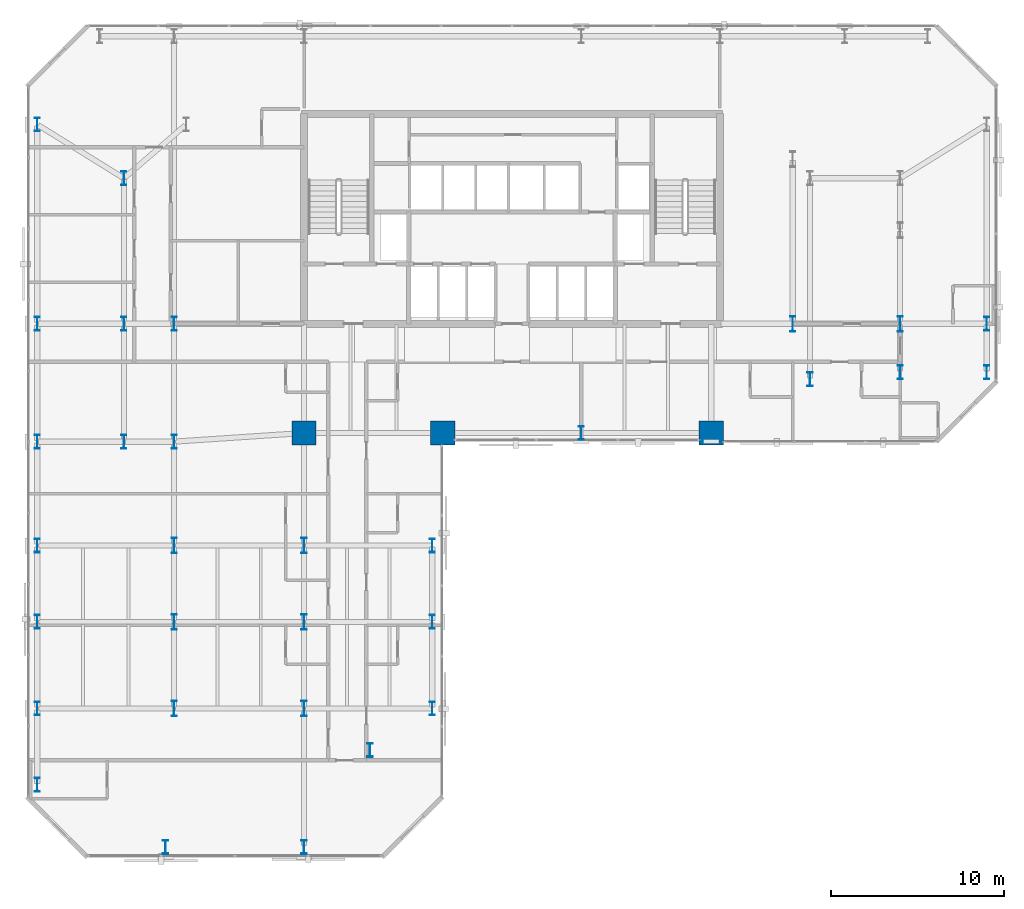
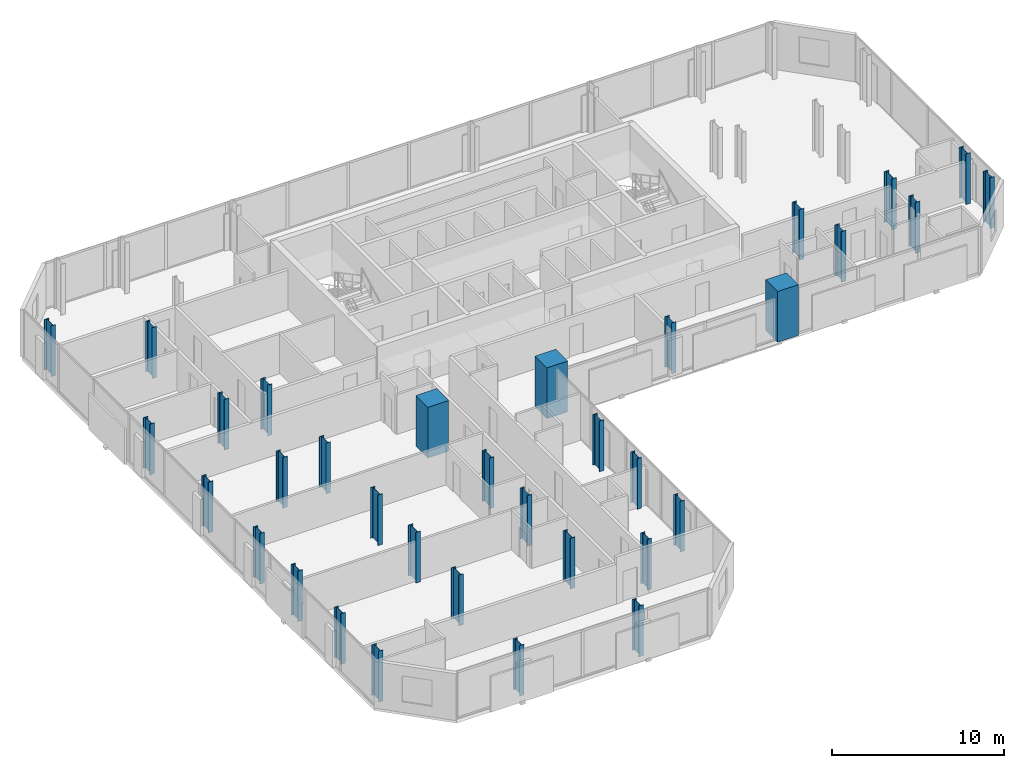
# One storey, part 1 of 33: 34 columns.
"""IFC4 building model written with IfcOpenShell, lengths in metres."""

from ifc_helpers import new_model, si_unit, direction, frame, origin, origin_2d, place, context, subcontext, project, spatial, rectangle, i_section, extrude, material, material_profile, profile_set, type_object, element, save


model = new_model("IFC4")

# Units and contexts
model_context = context("Model", 3, precision=1e-05, world=origin(), true_north=direction((0.0, 1.0)))
body_context = subcontext(model_context, "Body", "Model", "MODEL_VIEW")
ifc_project = project(units=[si_unit("LENGTHUNIT", "METRE"), si_unit("AREAUNIT", "SQUARE_METRE"), si_unit("VOLUMEUNIT", "CUBIC_METRE"), si_unit("PLANEANGLEUNIT", "RADIAN"), si_unit("MASSUNIT", "GRAM", prefix="KILO")], contexts=[model_context])

# Site, building, storey
site_placement = place(None, origin())
site = spatial("IfcSite", under=ifc_project, at=site_placement, CompositionType="ELEMENT")
building_placement = place(site_placement, origin())
building = spatial("IfcBuilding", under=site, at=building_placement, Name="Catumbela Crestline Tower", CompositionType="ELEMENT")
storey_placement = place(building_placement, frame((0.0, 0.0, 43.8)))
storey = spatial("IfcBuildingStorey", under=building, at=storey_placement, Name="L10", CompositionType="ELEMENT", Elevation=43.8)

# Columns
ifc_material_1 = material(Name="Concrete C60/75", Category="concrete")
ifc_material_profile_1 = material_profile(ifc_material_1, rectangle(XDim=1.4, YDim=1.4, at=origin_2d()), Name="RC 1400x1400")
ifc_profile_set_1 = profile_set([ifc_material_profile_1], Name="Concrete C60/75")
column_type_1 = type_object("IfcColumnType", Name="C-RC1400-C60", PredefinedType="COLUMN", material=ifc_profile_set_1)
for number, where, z_axis, x_axis, name in (
    (1, (16.0, 24.5, 0.0), (0.0, 0.0, 1.0), (1.0, 0.0, 0.0), "L10 Column C-16-24 (RC 1400x1400)"),
    (2, (24.0, 24.5, 0.0), (0.0, 0.0, 1.0), (1.0, 0.0, 0.0), "L10 Column C-24-24 (RC 1400x1400)"),
    (3, (39.5, 24.5, 0.0), (0.0, 0.0, 1.0), (1.0, 0.0, 0.0), "L10 Column C-40-24 (RC 1400x1400)"),
):
    element("IfcColumn", number, at=place(storey_placement, frame(where, z_axis=z_axis, x_axis=x_axis)), inside=storey, type_object=column_type_1, Name=name, PredefinedType="COLUMN", context=body_context, shape_type="SweptSolid", body=[
        extrude(rectangle(XDim=1.4, YDim=1.4, at=origin_2d()), origin(), (0.0, 0.0, 1.0), 3.6),
    ])
ifc_material_2 = material(Name="Structural steel S460M", Category="steel")
ifc_material_profile_2 = material_profile(ifc_material_2, i_section(OverallWidth=0.3, OverallDepth=0.8, WebThickness=0.0175, FlangeThickness=0.033, FilletRadius=0.03, at=origin_2d()), Name="HEB 800")
ifc_profile_set_2 = profile_set([ifc_material_profile_2], Name="Structural steel S460M")
column_type_2 = type_object("IfcColumnType", Name="C-ST-HEB800", PredefinedType="COLUMN", material=ifc_profile_set_2)
for number, where, z_axis, x_axis, name in (
    (4, (8.5, 24.0, 0.0), (0.0, 0.0, 1.0), (1.0, 0.0, 0.0), "L10 Column C-08-24 (HEB 800)"),
    (5, (32.0, 24.5, 0.0), (0.0, 0.0, 1.0), (1.0, 0.0, 0.0), "L10 Column C-32-24 (HEB 800)"),
    (6, (5.6, 24.0, 0.0), (0.0, 0.0, 1.0), (1.0, 0.0, 0.0), "L10 Column C-05-24 (HEB 800)"),
    (7, (5.6, 30.8, 0.0), (0.0, 0.0, 1.0), (1.0, 0.0, 0.0), "L10 Column C-05-31 (HEB 800)"),
    (8, (5.6, 39.2, 0.0), (0.0, 0.0, 1.0), (1.0, 0.0, 0.0), "L10 Column C-05-43 (HEB 800)"),
    (9, (8.5, 30.8, 0.0), (0.0, 0.0, 1.0), (1.0, 0.0, 0.0), "L10 Column C-08-31 (HEB 800)"),
    (10, (45.2, 27.6, 0.0), (0.0, 0.0, 1.0), (1.0, 0.0, 0.0), "L10 Column C-46-24 (HEB 800)"),
    (11, (0.6, 24.0, 0.0), (0.0, 0.0, 1.0), (1.0, 0.0, 0.0), "L10 Column C-00-24 (HEB 800)"),
    (12, (0.6, 30.8, 0.0), (0.0, 0.0, 1.0), (1.0, 0.0, 0.0), "L10 Column C-00-31 (HEB 800)"),
    (13, (0.6, 42.3, 0.0), (0.0, 0.0, 1.0), (1.0, 0.0, 0.0), "L10 Column C-00-43 (HEB 800)"),
    (14, (50.4, 28.0, 0.0), (0.0, 0.0, 1.0), (1.0, 0.0, 0.0), "L10 Column C-51-24 (HEB 800)"),
    (15, (55.4, 28.0, 0.0), (0.0, 0.0, 1.0), (1.0, 0.0, 0.0), "L10 Column C-56-24 (HEB 800)"),
    (16, (55.4, 30.8, 0.0), (0.0, 0.0, 1.0), (1.0, 0.0, 0.0), "L10 Column C-56-31 (HEB 800)"),
    (17, (0.6, 8.6, 0.0), (0.0, 0.0, 1.0), (1.0, 0.0, 0.0), "L10 Column C-00-05 (HEB 800)"),
    (18, (0.6, 13.6, 0.0), (0.0, 0.0, 1.0), (1.0, 0.0, 0.0), "L10 Column C-00-10 (HEB 800)"),
    (19, (0.6, 18.0, 0.0), (0.0, 0.0, 1.0), (1.0, 0.0, 0.0), "L10 Column C-00-16 (HEB 800)"),
    (20, (0.6, 4.2, 0.0), (0.0, 0.0, 1.0), (1.0, 0.0, 0.0), "L10 Column C-00-03 (HEB 800)"),
    (21, (8.0, 0.6, 0.0), (0.0, 0.0, 1.0), (1.0, 0.0, 0.0), "L10 Column C-08-00 (HEB 800)"),
    (22, (16.0, 0.6, 0.0), (0.0, 0.0, 1.0), (1.0, 0.0, 0.0), "L10 Column C-16-00 (HEB 800)"),
    (23, (19.8, 6.2, 0.0), (0.0, 0.0, 1.0), (1.0, 0.0, 0.0), "L10 Column C-24-05 (HEB 800)"),
    (24, (23.4, 8.6, 0.0), (0.0, 0.0, 1.0), (1.0, 0.0, 0.0), "L10 Column C-23-08 (HEB 800)"),
    (25, (23.4, 13.6, 0.0), (0.0, 0.0, 1.0), (1.0, 0.0, 0.0), "L10 Column C-24-10 (HEB 800)"),
    (26, (23.4, 18.0, 0.0), (0.0, 0.0, 1.0), (1.0, 0.0, 0.0), "L10 Column C-24-16 (HEB 800)"),
):
    element("IfcColumn", number, at=place(storey_placement, frame(where, z_axis=z_axis, x_axis=x_axis)), inside=storey, type_object=column_type_2, Name=name, PredefinedType="COLUMN", context=body_context, shape_type="SweptSolid", body=[
        extrude(i_section(OverallWidth=0.3, OverallDepth=0.8, WebThickness=0.0175, FlangeThickness=0.033, FilletRadius=0.03, at=origin_2d()), origin(), (0.0, 0.0, 1.0), 3.6),
    ])
ifc_material_profile_3 = material_profile(ifc_material_2, i_section(OverallWidth=0.3, OverallDepth=0.9, WebThickness=0.0185, FlangeThickness=0.035, FilletRadius=0.03, at=origin_2d()), Name="HEB 900")
ifc_profile_set_3 = profile_set([ifc_material_profile_3], Name="Structural steel S460M")
column_type_3 = type_object("IfcColumnType", Name="C-ST-HEB900", PredefinedType="COLUMN", material=ifc_profile_set_3)
for number, where, z_axis, x_axis, name in (
    (27, (8.5, 8.6, 0.0), (0.0, 0.0, 1.0), (1.0, 0.0, 0.0), "L10 Column CT-05-05 (HEB 900)"),
    (28, (16.0, 8.6, 0.0), (0.0, 0.0, 1.0), (1.0, 0.0, 0.0), "L10 Column CT-14-05 (HEB 900)"),
    (29, (8.5, 13.6, 0.0), (0.0, 0.0, 1.0), (1.0, 0.0, 0.0), "L10 Column CT-05-10 (HEB 900)"),
    (30, (16.0, 13.6, 0.0), (0.0, 0.0, 1.0), (1.0, 0.0, 0.0), "L10 Column CT-14-10 (HEB 900)"),
    (31, (8.5, 18.0, 0.0), (0.0, 0.0, 1.0), (1.0, 0.0, 0.0), "L10 Column CT-05-16 (HEB 900)"),
    (32, (16.0, 18.0, 0.0), (0.0, 0.0, 1.0), (1.0, 0.0, 0.0), "L10 Column CT-14-16 (HEB 900)"),
    (33, (44.2, 30.8, 0.0), (0.0, 0.0, 1.0), (1.0, 0.0, 0.0), "L10 Column CT-46-31 (HEB 900)"),
    (34, (50.4, 30.8, 0.0), (0.0, 0.0, 1.0), (1.0, 0.0, 0.0), "L10 Column CT-51-31 (HEB 900)"),
):
    element("IfcColumn", number, at=place(storey_placement, frame(where, z_axis=z_axis, x_axis=x_axis)), inside=storey, type_object=column_type_3, Name=name, PredefinedType="COLUMN", context=body_context, shape_type="SweptSolid", body=[
        extrude(i_section(OverallWidth=0.3, OverallDepth=0.9, WebThickness=0.0185, FlangeThickness=0.035, FilletRadius=0.03, at=origin_2d()), origin(), (0.0, 0.0, 1.0), 3.6),
    ])

save(model, "model.ifc")
